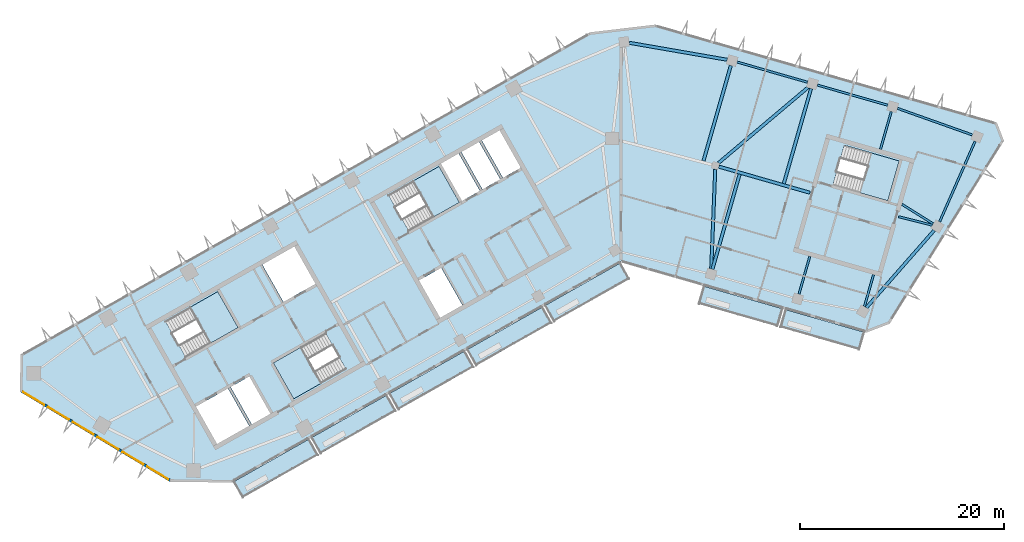
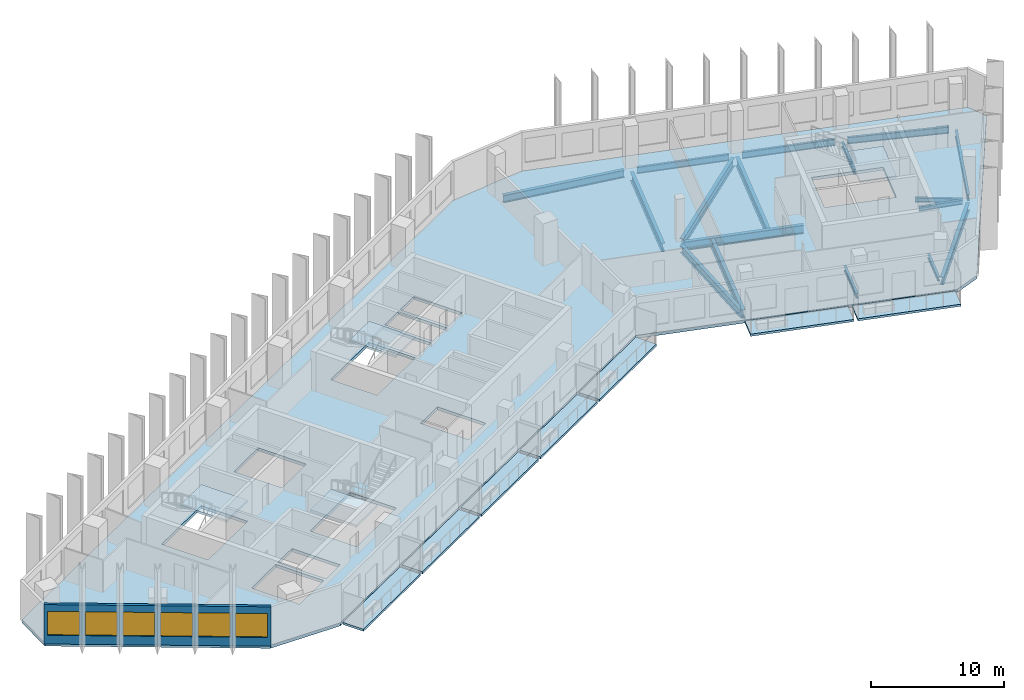
# One storey, part 2 of 12: 17 beams, 12 slabs, 6 windows, 1 wall, 6 openings, 4 elements without a shape of their own.
"""IFC4 building model written with IfcOpenShell, lengths in metres."""

from ifc_helpers import new_model, si_unit, direction, frame, frame_2d, origin, origin_2d, place, context, subcontext, project, spatial, polyline, rectangle, i_section, outline, extrude, material, layer, layer_set, material_profile, profile_set, type_object, element, fill, aggregate, save


model = new_model("IFC4")

# Units and contexts
model_context = context("Model", 3, precision=1e-05, world=origin(), true_north=direction((0.0, 1.0)))
body_context = subcontext(model_context, "Body", "Model", "MODEL_VIEW")
ifc_project = project(units=[si_unit("LENGTHUNIT", "METRE"), si_unit("AREAUNIT", "SQUARE_METRE"), si_unit("VOLUMEUNIT", "CUBIC_METRE"), si_unit("PLANEANGLEUNIT", "RADIAN"), si_unit("MASSUNIT", "GRAM", prefix="KILO")], contexts=[model_context])

# Site, building, storey
site_placement = place(None, origin())
site = spatial("IfcSite", under=ifc_project, at=site_placement, CompositionType="ELEMENT")
building_placement = place(site_placement, origin())
building = spatial("IfcBuilding", under=site, at=building_placement, Name="Binnacle Exchange Tower", CompositionType="ELEMENT")
storey_placement = place(building_placement, frame((0.0, 0.0, 246.5)))
storey = spatial("IfcBuildingStorey", under=building, at=storey_placement, Name="L54", CompositionType="ELEMENT", Elevation=246.5)

# Beams
ifc_material_1 = material(Name="Steel S355 (SHN355)", Category="steel")
ifc_material_profile_1 = material_profile(ifc_material_1, i_section(OverallWidth=0.199951171875, OverallDepth=0.60009765625, WebThickness=0.010986328125, FlangeThickness=0.01708984375, FilletRadius=0.02197265625, at=origin_2d()), Name="H 600x200x11x17")
ifc_profile_set_1 = profile_set([ifc_material_profile_1], Name="Steel S355 (SHN355)")
beam_type_1 = type_object("IfcBeamType", Name="Edge girder H 600x200x11x17 Steel S355 (SHN355)", PredefinedType="SPANDREL", material=ifc_profile_set_1)
beam_1_placement = place(storey_placement, frame((18.265625, 65.513916015625, -0.580078125), z_axis=(-0.961255050864, 0.275660528891, 0.0), x_axis=(-0.275660528891, -0.961255050864, 0.0)))
element("IfcBeam", 1, at=beam_1_placement, inside=storey, type_object=beam_type_1, Name="S:BM:edge:L54:029", PredefinedType="SPANDREL", context=body_context, shape_type="SweptSolid", body=[
    extrude(i_section(OverallWidth=0.199951171875, OverallDepth=0.60009765625, WebThickness=0.010986328125, FlangeThickness=0.01708984375, FilletRadius=0.02197265625, at=origin_2d()), origin(), (0.0, 0.0, 1.0), 7.1728515625),
])
beam_2_placement = place(storey_placement, frame((26.1220703125, 63.26123046875, -0.580078125), z_axis=(-0.96126665508, 0.275620060647, 0.0), x_axis=(-0.275620060647, -0.96126665508, 0.0)))
element("IfcBeam", 2, at=beam_2_placement, inside=storey, type_object=beam_type_1, Name="S:BM:edge:L54:031", PredefinedType="SPANDREL", context=body_context, shape_type="SweptSolid", body=[
    extrude(i_section(OverallWidth=0.199951171875, OverallDepth=0.60009765625, WebThickness=0.010986328125, FlangeThickness=0.01708984375, FilletRadius=0.02197265625, at=origin_2d()), origin(), (0.0, 0.0, 1.0), 7.173095703125),
])
ifc_material_profile_2 = material_profile(ifc_material_1, i_section(OverallWidth=0.200927734375, OverallDepth=0.60595703125, WebThickness=0.011962890625, FlangeThickness=0.02001953125, FilletRadius=0.02197265625, at=origin_2d()), Name="H 606x201x12x20")
ifc_profile_set_2 = profile_set([ifc_material_profile_2], Name="Steel S355 (SHN355)")
beam_type_2 = type_object("IfcBeamType", Name="Edge girder H 606x201x12x20 Steel S355 (SHN355)", PredefinedType="SPANDREL", material=ifc_profile_set_2)
beam_3_placement = place(storey_placement, frame((34.3984375, 60.3544921875, -0.5830078125), z_axis=(-0.942323270608, 0.334704128553, 0.0), x_axis=(-0.334704128553, -0.942323270608, 0.0)))
element("IfcBeam", 3, at=beam_3_placement, inside=storey, type_object=beam_type_2, Name="S:BM:edge:L54:033", PredefinedType="SPANDREL", context=body_context, shape_type="SweptSolid", body=[
    extrude(i_section(OverallWidth=0.200927734375, OverallDepth=0.60595703125, WebThickness=0.011962890625, FlangeThickness=0.02001953125, FilletRadius=0.02197265625, at=origin_2d()), origin(), (0.0, 0.0, 1.0), 7.77197265625),
])
ifc_material_profile_3 = material_profile(ifc_material_1, i_section(OverallWidth=0.201904296875, OverallDepth=0.612060546875, WebThickness=0.012939453125, FlangeThickness=0.02294921875, FilletRadius=0.02197265625, at=origin_2d()), Name="H 612x202x13x23")
ifc_profile_set_3 = profile_set([ifc_material_profile_3], Name="Steel S355 (SHN355)")
beam_type_3 = type_object("IfcBeamType", Name="Edge girder H 612x202x13x23 Steel S355 (SHN355)", PredefinedType="SPANDREL", material=ifc_profile_set_3)
beam_4_placement = place(storey_placement, frame((31.193359375, 51.848388671875, -0.5859375), z_axis=(0.403459457176, 0.914997522628, 0.0), x_axis=(-0.914997522628, 0.403459457176, 0.0)))
element("IfcBeam", 4, at=beam_4_placement, inside=storey, type_object=beam_type_3, Name="S:BM:edge:L54:032", PredefinedType="SPANDREL", context=body_context, shape_type="SweptSolid", body=[
    extrude(i_section(OverallWidth=0.201904296875, OverallDepth=0.612060546875, WebThickness=0.012939453125, FlangeThickness=0.02294921875, FilletRadius=0.02197265625, at=origin_2d()), origin(), (0.0, 0.0, 1.0), 8.61328125),
])
ifc_material_profile_4 = material_profile(ifc_material_1, i_section(OverallWidth=0.300048828125, OverallDepth=0.699951171875, WebThickness=0.012939453125, FlangeThickness=0.02392578125, FilletRadius=0.028076171875, at=origin_2d()), Name="H 700x300x13x24")
ifc_profile_set_4 = profile_set([ifc_material_profile_4], Name="Steel S355 (SHN355)")
beam_type_4 = type_object("IfcBeamType", Name="Edge girder H 700x300x13x24 Steel S355 (SHN355)", PredefinedType="SPANDREL", material=ifc_profile_set_4)
beam_5_placement = place(storey_placement, frame((10.39453125, 67.71484375, -0.6298828125), z_axis=(-0.985315512383, 0.170743494921, 0.0), x_axis=(-0.170743494921, -0.985315512383, 0.0)))
element("IfcBeam", 5, at=beam_5_placement, inside=storey, type_object=beam_type_4, Name="S:BM:edge:L54:027", PredefinedType="SPANDREL", context=body_context, shape_type="SweptSolid", body=[
    extrude(i_section(OverallWidth=0.300048828125, OverallDepth=0.699951171875, WebThickness=0.012939453125, FlangeThickness=0.02392578125, FilletRadius=0.028076171875, at=origin_2d()), origin(), (0.0, 0.0, 1.0), 9.72314453125),
])
beam_6_placement = place(storey_placement, frame((24.026123046875, 43.44580078125, -0.6298828125), z_axis=(0.659336218273, 0.751848223562, 0.0), x_axis=(-0.751848223562, 0.659336218273, 0.0)))
element("IfcBeam", 6, at=beam_6_placement, inside=storey, type_object=beam_type_4, Name="S:BM:edge:L54:030", PredefinedType="SPANDREL", context=body_context, shape_type="SweptSolid", body=[
    extrude(i_section(OverallWidth=0.300048828125, OverallDepth=0.699951171875, WebThickness=0.012939453125, FlangeThickness=0.02392578125, FilletRadius=0.028076171875, at=origin_2d()), origin(), (0.0, 0.0, 1.0), 10.0546875),
])
ifc_material_profile_5 = material_profile(ifc_material_1, i_section(OverallWidth=0.199951171875, OverallDepth=0.39990234375, WebThickness=0.008056640625, FlangeThickness=0.012939453125, FilletRadius=0.01611328125, at=origin_2d()), Name="H 400x200x8x13")
ifc_profile_set_5 = profile_set([ifc_material_profile_5], Name="Steel S355 (SHN355)")
beam_type_5 = type_object("IfcBeamType", Name="Floor beam H 400x200x8x13 Steel S355 (SHN355)", PredefinedType="BEAM", material=ifc_profile_set_5)
beam_7_placement = place(storey_placement, frame((23.832275390625, 43.55810546875, -0.47998046875), z_axis=(0.275607869103, 0.961270150628, 0.0), x_axis=(-0.961270150628, 0.275607869103, 0.0)))
element("IfcBeam", 7, at=beam_7_placement, inside=storey, type_object=beam_type_5, Name="S:BM:cross:L54:051", PredefinedType="BEAM", context=body_context, shape_type="SweptSolid", body=[
    extrude(i_section(OverallWidth=0.199951171875, OverallDepth=0.39990234375, WebThickness=0.008056640625, FlangeThickness=0.012939453125, FilletRadius=0.01611328125, at=origin_2d()), origin(), (0.0, 0.0, 1.0), 3.23583984375),
])
beam_8_placement = place(storey_placement, frame((30.5654296875, 51.6513671875, -0.47998046875), z_axis=(-0.848078408173, 0.529870751779, 0.0), x_axis=(-0.529870751779, -0.848078408173, 0.0)))
element("IfcBeam", 8, at=beam_8_placement, inside=storey, type_object=beam_type_5, Name="S:BM:cross:L54:053", PredefinedType="BEAM", context=body_context, shape_type="SweptSolid", body=[
    extrude(i_section(OverallWidth=0.199951171875, OverallDepth=0.39990234375, WebThickness=0.008056640625, FlangeThickness=0.012939453125, FilletRadius=0.01611328125, at=origin_2d()), origin(), (0.0, 0.0, 1.0), 3.59521484375),
])
ifc_material_profile_6 = material_profile(ifc_material_1, i_section(OverallWidth=0.199951171875, OverallDepth=0.449951171875, WebThickness=0.009033203125, FlangeThickness=0.013916015625, FilletRadius=0.01806640625, at=origin_2d()), Name="H 450x200x9x14")
ifc_profile_set_6 = profile_set([ifc_material_profile_6], Name="Steel S355 (SHN355)")
beam_type_6 = type_object("IfcBeamType", Name="Floor beam H 450x200x9x14 Steel S355 (SHN355)", PredefinedType="BEAM", material=ifc_profile_set_6)
for number, where, z_axis, x_axis, name in (
    (9, (17.426025390625, 44.771728515625, -0.5048828125), (0.27564586602, 0.961259255636, 0.0), (-0.961259255636, 0.27564586602, 0.0), "S:BM:cross:L54:049"),
    (10, (26.46484375, 62.642822265625, -0.5048828125), (-0.27564586602, -0.961259255636, 0.0), (0.961259255636, -0.27564586602, 0.0), "S:BM:cross:L54:052"),
):
    element("IfcBeam", number, at=place(storey_placement, frame(where, z_axis=z_axis, x_axis=x_axis)), inside=storey, type_object=beam_type_6, Name=name, PredefinedType="BEAM", context=body_context, shape_type="SweptSolid", body=[
        extrude(i_section(OverallWidth=0.199951171875, OverallDepth=0.449951171875, WebThickness=0.009033203125, FlangeThickness=0.013916015625, FilletRadius=0.01806640625, at=origin_2d()), origin(), (0.0, 0.0, 1.0), 3.835205078125),
    ])
ifc_material_profile_7 = material_profile(ifc_material_1, i_section(OverallWidth=0.300048828125, OverallDepth=0.800048828125, WebThickness=0.013916015625, FlangeThickness=0.02587890625, FilletRadius=0.028076171875, at=origin_2d()), Name="H 800x300x14x26")
ifc_profile_set_7 = profile_set([ifc_material_profile_7], Name="Steel S355 (SHN355)")
beam_type_7 = type_object("IfcBeamType", Name="Floor beam H 800x300x14x26 Steel S355 (SHN355)", PredefinedType="BEAM", material=ifc_profile_set_7)
beam_9_placement = place(storey_placement, frame((8.947265625, 47.202880859375, -0.679931640625), z_axis=(0.275643212873, 0.961260016435, 0.0), x_axis=(-0.961260016435, 0.275643212873, 0.0)))
element("IfcBeam", 11, at=beam_9_placement, inside=storey, type_object=beam_type_7, Name="S:BM:cross:L54:047", PredefinedType="BEAM", context=body_context, shape_type="SweptSolid", body=[
    extrude(i_section(OverallWidth=0.300048828125, OverallDepth=0.800048828125, WebThickness=0.013916015625, FlangeThickness=0.02587890625, FilletRadius=0.028076171875, at=origin_2d()), origin(), (0.0, 0.0, 1.0), 9.685302734375),
])
beam_10_placement = place(storey_placement, frame((10.752197265625, 67.1484375, -0.679931640625), z_axis=(-0.275623948616, -0.96126554029, 0.0), x_axis=(0.96126554029, -0.275623948616, 0.0)))
element("IfcBeam", 12, at=beam_10_placement, inside=storey, type_object=beam_type_7, Name="S:BM:cross:L54:048", PredefinedType="BEAM", context=body_context, shape_type="SweptSolid", body=[
    extrude(i_section(OverallWidth=0.300048828125, OverallDepth=0.800048828125, WebThickness=0.013916015625, FlangeThickness=0.02587890625, FilletRadius=0.028076171875, at=origin_2d()), origin(), (0.0, 0.0, 1.0), 9.71337890625),
])
beam_11_placement = place(storey_placement, frame((18.6083984375, 64.8955078125, -0.679931640625), z_axis=(-0.275626599208, -0.961264780281, 0.0), x_axis=(0.961264780281, -0.275626599208, 0.0)))
element("IfcBeam", 13, at=beam_11_placement, inside=storey, type_object=beam_type_7, Name="S:BM:cross:L54:050", PredefinedType="BEAM", context=body_context, shape_type="SweptSolid", body=[
    extrude(i_section(OverallWidth=0.300048828125, OverallDepth=0.800048828125, WebThickness=0.013916015625, FlangeThickness=0.02587890625, FilletRadius=0.028076171875, at=origin_2d()), origin(), (0.0, 0.0, 1.0), 9.68505859375),
])
ifc_material_profile_8 = material_profile(ifc_material_1, i_section(OverallWidth=0.199951171875, OverallDepth=0.39990234375, WebThickness=0.008056640625, FlangeThickness=0.012939453125, FilletRadius=0.01611328125, at=origin_2d()), Name="H 400x200x8x13")
ifc_profile_set_8 = profile_set([ifc_material_profile_8], Name="Steel S355 (SHN355)")
beam_type_8 = type_object("IfcBeamType", Name="Spine girder H 400x200x8x13 Steel S355 (SHN355)", PredefinedType="BEAM", material=ifc_profile_set_8)
beam_12_placement = place(storey_placement, frame((27.17138671875, 52.35400390625, -0.47998046875), z_axis=(0.969354959992, -0.245664326957, 0.0), x_axis=(0.245664326957, 0.969354959992, 0.0)))
element("IfcBeam", 14, at=beam_12_placement, inside=storey, type_object=beam_type_8, Name="S:BM:spine:L54:010", PredefinedType="BEAM", context=body_context, shape_type="SweptSolid", body=[
    extrude(i_section(OverallWidth=0.199951171875, OverallDepth=0.39990234375, WebThickness=0.008056640625, FlangeThickness=0.012939453125, FilletRadius=0.01611328125, at=origin_2d()), origin(), (0.0, 0.0, 1.0), 3.41357421875),
])
ifc_material_profile_9 = material_profile(ifc_material_1, i_section(OverallWidth=0.300048828125, OverallDepth=0.699951171875, WebThickness=0.012939453125, FlangeThickness=0.02392578125, FilletRadius=0.028076171875, at=origin_2d()), Name="H 700x300x13x24")
ifc_profile_set_9 = profile_set([ifc_material_profile_9], Name="Steel S355 (SHN355)")
beam_type_9 = type_object("IfcBeamType", Name="Spine girder H 700x300x13x24 Steel S355 (SHN355)", PredefinedType="BEAM", material=ifc_profile_set_9)
beam_13_placement = place(storey_placement, frame((9.226318359375, 56.990234375, -0.6298828125), z_axis=(-0.040566314933, -0.999176848257, 0.0), x_axis=(0.999176848257, -0.040566314933, 0.0)))
element("IfcBeam", 15, at=beam_13_placement, inside=storey, type_object=beam_type_9, Name="S:BM:spine:L54:007", PredefinedType="BEAM", context=body_context, shape_type="SweptSolid", body=[
    extrude(i_section(OverallWidth=0.300048828125, OverallDepth=0.699951171875, WebThickness=0.012939453125, FlangeThickness=0.02392578125, FilletRadius=0.028076171875, at=origin_2d()), origin(), (0.0, 0.0, 1.0), 9.76171875),
])
ifc_material_profile_10 = material_profile(ifc_material_1, i_section(OverallWidth=0.300048828125, OverallDepth=0.800048828125, WebThickness=0.013916015625, FlangeThickness=0.02587890625, FilletRadius=0.028076171875, at=origin_2d()), Name="H 800x300x14x26")
ifc_profile_set_10 = profile_set([ifc_material_profile_10], Name="Steel S355 (SHN355)")
beam_type_10 = type_object("IfcBeamType", Name="Spine girder H 800x300x14x26 Steel S355 (SHN355)", PredefinedType="BEAM", material=ifc_profile_set_10)
beam_14_placement = place(storey_placement, frame((9.577392578125, 57.253662109375, -0.679931640625), z_axis=(0.961262936931, -0.275633027924, 0.0), x_axis=(0.275633027924, 0.961262936931, 0.0)))
element("IfcBeam", 16, at=beam_14_placement, inside=storey, type_object=beam_type_10, Name="S:BM:spine:L54:009", PredefinedType="BEAM", context=body_context, shape_type="SweptSolid", body=[
    extrude(i_section(OverallWidth=0.300048828125, OverallDepth=0.800048828125, WebThickness=0.013916015625, FlangeThickness=0.02587890625, FilletRadius=0.028076171875, at=origin_2d()), origin(), (0.0, 0.0, 1.0), 9.26318359375),
])
ifc_material_profile_11 = material_profile(ifc_material_1, i_section(OverallWidth=0.302001953125, OverallDepth=0.80810546875, WebThickness=0.01611328125, FlangeThickness=0.030029296875, FilletRadius=0.028076171875, at=origin_2d()), Name="H 808x302x16x30")
ifc_profile_set_11 = profile_set([ifc_material_profile_11], Name="Steel S355 (SHN355)")
beam_type_11 = type_object("IfcBeamType", Name="Spine girder H 808x302x16x30 Steel S355 (SHN355)", PredefinedType="BEAM", material=ifc_profile_set_11)
beam_15_placement = place(storey_placement, frame((9.562744140625, 57.6220703125, -0.68408203125), z_axis=(0.764068797706, 0.645134770704, 0.0), x_axis=(-0.645134770704, 0.764068797706, 0.0)))
element("IfcBeam", 17, at=beam_15_placement, inside=storey, type_object=beam_type_11, Name="S:BM:spine:L54:008", PredefinedType="BEAM", context=body_context, shape_type="SweptSolid", body=[
    extrude(i_section(OverallWidth=0.302001953125, OverallDepth=0.80810546875, WebThickness=0.01611328125, FlangeThickness=0.030029296875, FilletRadius=0.028076171875, at=origin_2d()), origin(), (0.0, 0.0, 1.0), 11.417236328125),
])

# Slabs
ifc_material_2 = material(Name="Concrete C35/45", Category="concrete")
ifc_layer_1 = layer(ifc_material_2, 0.199951171875)
ifc_layer_set_1 = layer_set([ifc_layer_1], Name="BALCONY SLAB 200")
slab_type_1 = type_object("IfcSlabType", Name="BALCONY SLAB 200", PredefinedType="FLOOR", material=ifc_layer_set_1)
slab_1_placement = place(storey_placement, frame((0.0, 0.0, -0.199951171875)))
element("IfcSlab", 18, at=slab_1_placement, inside=storey, type_object=slab_type_1, Name="Balcony BA-G01-00 L54", PredefinedType="FLOOR", context=body_context, shape_type="SweptSolid", body=[
    extrude(outline(polyline([(-37.90576171875, 26.410400390625), (-30.54736328125, 30.573486328125), (-29.660888671875, 29.0068359375), (-37.019287109375, 24.84375), (-37.90576171875, 26.410400390625)])), origin(), (0.0, 0.0, 1.0), 0.199951171875),
])
slab_2_placement = place(storey_placement, frame((0.0, 0.0, -0.199951171875)))
element("IfcSlab", 19, at=slab_2_placement, inside=storey, type_object=slab_type_1, Name="Balcony BA-G01-01 L54", PredefinedType="FLOOR", context=body_context, shape_type="SweptSolid", body=[
    extrude(outline(polyline([(-30.2861328125, 30.72119140625), (-22.927734375, 34.884521484375), (-22.041259765625, 33.31787109375), (-29.39990234375, 29.15478515625), (-30.2861328125, 30.72119140625)])), origin(), (0.0, 0.0, 1.0), 0.199951171875),
])
slab_3_placement = place(storey_placement, frame((0.0, 0.0, -0.199951171875)))
element("IfcSlab", 20, at=slab_3_placement, inside=storey, type_object=slab_type_1, Name="Balcony BA-G01-02 L54", PredefinedType="FLOOR", context=body_context, shape_type="SweptSolid", body=[
    extrude(outline(polyline([(-22.66650390625, 35.0322265625), (-15.30810546875, 39.195556640625), (-14.421875, 37.62890625), (-21.7802734375, 33.465576171875), (-22.66650390625, 35.0322265625)])), origin(), (0.0, 0.0, 1.0), 0.199951171875),
])
slab_4_placement = place(storey_placement, frame((0.0, 0.0, -0.199951171875)))
element("IfcSlab", 21, at=slab_4_placement, inside=storey, type_object=slab_type_1, Name="Balcony BA-G01-03 L54", PredefinedType="FLOOR", context=body_context, shape_type="SweptSolid", body=[
    extrude(outline(polyline([(-15.047119140625, 39.34326171875), (-7.6884765625, 43.50634765625), (-6.802001953125, 41.939697265625), (-14.16064453125, 37.776611328125), (-15.047119140625, 39.34326171875)])), origin(), (0.0, 0.0, 1.0), 0.199951171875),
])
slab_5_placement = place(storey_placement, frame((0.0, 0.0, -0.199951171875)))
element("IfcSlab", 22, at=slab_5_placement, inside=storey, type_object=slab_type_1, Name="Balcony BA-G01-04 L54", PredefinedType="FLOOR", context=body_context, shape_type="SweptSolid", body=[
    extrude(outline(polyline([(-7.427490234375, 43.654296875), (-0.069091796875, 47.8173828125), (0.8173828125, 46.250732421875), (-6.541015625, 42.08740234375), (-7.427490234375, 43.654296875)])), origin(), (0.0, 0.0, 1.0), 0.199951171875),
])
slab_6_placement = place(storey_placement, frame((0.0, 0.0, -0.199951171875)))
element("IfcSlab", 23, at=slab_6_placement, inside=storey, type_object=slab_type_1, Name="Balcony BA-G02-01 L54", PredefinedType="FLOOR", context=body_context, shape_type="SweptSolid", body=[
    extrude(outline(polyline([(8.10791015625, 45.545166015625), (15.8173828125, 43.33447265625), (15.3212890625, 41.60400390625), (7.61181640625, 43.814697265625), (8.10791015625, 45.545166015625)])), origin(), (0.0, 0.0, 1.0), 0.199951171875),
])
slab_7_placement = place(storey_placement, frame((0.0, 0.0, -0.199951171875)))
element("IfcSlab", 24, at=slab_7_placement, inside=storey, type_object=slab_type_1, Name="Balcony BA-G02-02 L54", PredefinedType="FLOOR", context=body_context, shape_type="SweptSolid", body=[
    extrude(outline(polyline([(16.10595703125, 43.251708984375), (23.815673828125, 41.041015625), (23.319580078125, 39.310791015625), (15.60986328125, 41.521484375), (16.10595703125, 43.251708984375)])), origin(), (0.0, 0.0, 1.0), 0.199951171875),
])
ifc_layer_2 = layer(ifc_material_2, 0.280029296875)
ifc_layer_set_2 = layer_set([ifc_layer_2], Name="Floor slab 280 Concrete C35/45")
slab_type_2 = type_object("IfcSlabType", Name="Floor slab 280 Concrete C35/45", PredefinedType="FLOOR", material=ifc_layer_set_2)
slab_8_placement = place(storey_placement, frame((0.0, 0.0, -0.280029296875)))
element("IfcSlab", 25, at=slab_8_placement, inside=storey, type_object=slab_type_2, Name="S:SL:L54:01", PredefinedType="FLOOR", context=body_context, shape_type="SweptSolid", body=[
    extrude(outline(polyline([(-58.716064453125, 35.280029296875), (-58.669921875, 38.80615234375), (-3.046142578125, 70.276611328125), (3.364501953125, 71.035400390625), (36.71240234375, 61.472900390625), (37.359375, 59.787353515625), (26.23095703125, 41.978515625), (23.994140625, 41.119873046875), (0.0, 48.0), (-38.097900390625, 26.4453125), (-44.14404296875, 26.5244140625), (-58.716064453125, 35.280029296875)]), holes=[polyline([(-38.4794921875, 35.529296875), (-41.61279296875, 33.756591796875), (-39.544677734375, 30.10107421875), (-36.411376953125, 31.873779296875), (-38.4794921875, 35.529296875)]), polyline([(-36.390625, 36.711181640625), (-38.21826171875, 35.677001953125), (-36.150146484375, 32.021484375), (-34.322509765625, 33.0556640625), (-36.390625, 36.711181640625)]), polyline([(-32.04638671875, 34.515625), (-26.9287109375, 37.4111328125), (-28.923095703125, 40.93603515625), (-34.040771484375, 38.04052734375), (-32.04638671875, 34.515625)]), polyline([(-37.486572265625, 41.4912109375), (-39.480712890625, 45.01611328125), (-44.598388671875, 42.12060546875), (-42.604248046875, 38.595703125), (-37.486572265625, 41.4912109375)]), polyline([(-29.914306640625, 45.775390625), (-31.982666015625, 49.430908203125), (-35.115966796875, 47.657958984375), (-33.047607421875, 44.00244140625), (-29.914306640625, 45.775390625)]), polyline([(-17.81689453125, 57.27294921875), (-22.760498046875, 54.47607421875), (-20.76611328125, 50.950927734375), (-15.822509765625, 53.748046875), (-17.81689453125, 57.27294921875)]), polyline([(-15.53076171875, 43.6875), (-17.598876953125, 47.343017578125), (-19.77490234375, 46.11181640625), (-17.70654296875, 42.456298828125), (-15.53076171875, 43.6875)]), polyline([(-13.82080078125, 54.880615234375), (-15.888916015625, 58.5361328125), (-17.629638671875, 57.55126953125), (-15.5615234375, 53.895751953125), (-13.82080078125, 54.880615234375)]), polyline([(27.227783203125, 57.810302734375), (21.864013671875, 59.348388671875), (20.74755859375, 55.455078125), (26.111328125, 53.9169921875), (27.227783203125, 57.810302734375)]), polyline([(-11.819091796875, 56.01318359375), (-13.88720703125, 59.668701171875), (-15.6279296875, 58.683837890625), (-13.559814453125, 55.0283203125), (-11.819091796875, 56.01318359375)]), polyline([(-9.817138671875, 57.145751953125), (-11.885498046875, 60.80126953125), (-13.626220703125, 59.81640625), (-11.557861328125, 56.160888671875), (-9.817138671875, 57.145751953125)])]), origin(), (0.0, 0.0, 1.0), 0.280029296875),
])

# Stair, slab
stair_type = type_object("IfcStairType", Name="STAIR 22 RISERS 177", PredefinedType="HALF_TURN_STAIR", material=ifc_material_2)
stair_1_placement = place(storey_placement, origin())
stair_1 = element("IfcStair", 26, at=stair_1_placement, inside=storey, type_object=stair_type, Name="L54 Escape stair A1", PredefinedType="HALF_TURN_STAIR")
ifc_layer_3 = layer(ifc_material_2, 0.199951171875)
ifc_layer_set_3 = layer_set([ifc_layer_3], Name="STAIR LANDING 200")
slab_type_3 = type_object("IfcSlabType", Name="STAIR LANDING 200", PredefinedType="LANDING", material=ifc_layer_set_3)
slab_9_placement = place(storey_placement, frame((0.0, 0.0, 1.75)))
slab_9 = element("IfcSlab", 27, at=slab_9_placement, type_object=slab_type_3, Name="STA1 landing 1", PredefinedType="LANDING", context=body_context, shape_type="SweptSolid", body=[
    extrude(outline(polyline([(-40.2021484375, 39.954833984375), (-37.486572265625, 41.4912109375), (-39.48095703125, 45.01611328125), (-42.1962890625, 43.479736328125), (-40.2021484375, 39.954833984375)])), origin(), (0.0, 0.0, 1.0), 0.199951171875),
])
aggregate(stair_1, [slab_9])

stair_2_placement = place(storey_placement, origin())
stair_2 = element("IfcStair", 28, at=stair_2_placement, inside=storey, type_object=stair_type, Name="L54 Escape stair A2", PredefinedType="HALF_TURN_STAIR")
slab_10_placement = place(storey_placement, frame((0.0, 0.0, 1.75)))
slab_10 = element("IfcSlab", 29, at=slab_10_placement, type_object=slab_type_3, Name="STA2 landing 1", PredefinedType="LANDING", context=body_context, shape_type="SweptSolid", body=[
    extrude(outline(polyline([(-31.3251953125, 39.576904296875), (-34.040771484375, 38.04052734375), (-32.04638671875, 34.515625), (-29.330810546875, 36.052001953125), (-31.3251953125, 39.576904296875)])), origin(), (0.0, 0.0, 1.0), 0.199951171875),
])
aggregate(stair_2, [slab_10])

stair_3_placement = place(storey_placement, origin())
stair_3 = element("IfcStair", 30, at=stair_3_placement, inside=storey, type_object=stair_type, Name="L54 Escape stair C1", PredefinedType="HALF_TURN_STAIR")
slab_11_placement = place(storey_placement, frame((0.0, 0.0, 1.75)))
slab_11 = element("IfcSlab", 31, at=slab_11_placement, type_object=slab_type_3, Name="STC1 landing 1", PredefinedType="LANDING", context=body_context, shape_type="SweptSolid", body=[
    extrude(outline(polyline([(-18.364013671875, 52.31005859375), (-15.822509765625, 53.748046875), (-17.81689453125, 57.27294921875), (-20.3583984375, 55.8349609375), (-18.364013671875, 52.31005859375)])), origin(), (0.0, 0.0, 1.0), 0.199951171875),
])
aggregate(stair_3, [slab_11])

stair_4_placement = place(storey_placement, origin())
stair_4 = element("IfcStair", 32, at=stair_4_placement, inside=storey, type_object=stair_type, Name="L54 Escape stair D1", PredefinedType="HALF_TURN_STAIR")
slab_12_placement = place(storey_placement, frame((0.0, 0.0, 1.75)))
slab_12 = element("IfcSlab", 33, at=slab_12_placement, type_object=slab_type_3, Name="STD1 landing 1", PredefinedType="LANDING", context=body_context, shape_type="SweptSolid", body=[
    extrude(outline(polyline([(23.400634765625, 54.6943359375), (26.111328125, 53.917236328125), (27.227783203125, 57.810302734375), (24.516845703125, 58.587646484375), (23.400634765625, 54.6943359375)])), origin(), (0.0, 0.0, 1.0), 0.199951171875),
])
aggregate(stair_4, [slab_12])

# Wall, openings, windows
ifc_material_3 = material(Name="Bronze aluminium cladding", Category="aluminium")
ifc_layer_4 = layer(ifc_material_3, 0.25)
ifc_layer_set_4 = layer_set([ifc_layer_4], Name="External wall - window wall 250")
wall_type = type_object("IfcWallType", Name="External wall - window wall 250", PredefinedType="STANDARD", material=ifc_layer_set_4)
wall_placement = place(storey_placement, frame((-44.115234375, 26.507080078125, 0.0), z_axis=(0.0, 0.0, 1.0), x_axis=(-0.857166583633, 0.515039268311, 0.0)))
wall = element("IfcWall", 34, at=wall_placement, inside=storey, type_object=wall_type, Name="External wall EW-G10 L54", PredefinedType="STANDARD", context=body_context, shape_type="SweptSolid", body=[
    extrude(rectangle(XDim=17.105712890625, YDim=0.25, at=frame_2d((8.552734375, 0.0))), origin(), (0.0, 0.0, 1.0), 3.6201171875),
])
opening_1_placement = place(wall_placement, frame((14.4169921875, 0.0, 0.800048828125)))
opening_1 = element("IfcOpeningElement", 35, at=opening_1_placement, cuts=wall, Name="Opening WR1", PredefinedType="OPENING", context=body_context, shape_type="SweptSolid", body=[
    extrude(rectangle(XDim=2.39990234375, YDim=2.199951171875, at=frame_2d((1.199951171875, 1.10009765625))), frame((0.0, 0.135009765625, 0.0), z_axis=(0.0, -1.0, 0.0), x_axis=(1.0, 0.0, 0.0)), (0.0, 0.0, 1.0), 0.27001953125),
])
opening_2_placement = place(wall_placement, frame((11.583740234375, 0.0, 0.800048828125)))
opening_2 = element("IfcOpeningElement", 36, at=opening_2_placement, cuts=wall, Name="Opening WR1", PredefinedType="OPENING", context=body_context, shape_type="SweptSolid", body=[
    extrude(rectangle(XDim=2.39990234375, YDim=2.199951171875, at=frame_2d((1.199951171875, 1.10009765625))), frame((0.0, 0.135009765625, 0.0), z_axis=(0.0, -1.0, 0.0), x_axis=(1.0, 0.0, 0.0)), (0.0, 0.0, 1.0), 0.27001953125),
])
opening_3_placement = place(wall_placement, frame((8.75048828125, 0.0, 0.800048828125)))
opening_3 = element("IfcOpeningElement", 37, at=opening_3_placement, cuts=wall, Name="Opening WR1", PredefinedType="OPENING", context=body_context, shape_type="SweptSolid", body=[
    extrude(rectangle(XDim=2.39990234375, YDim=2.199951171875, at=frame_2d((1.199951171875, 1.10009765625))), frame((0.0, 0.135009765625, 0.0), z_axis=(0.0, -1.0, 0.0), x_axis=(1.0, 0.0, 0.0)), (0.0, 0.0, 1.0), 0.27001953125),
])
opening_4_placement = place(wall_placement, frame((5.9169921875, 0.0, 0.800048828125)))
opening_4 = element("IfcOpeningElement", 38, at=opening_4_placement, cuts=wall, Name="Opening WR1", PredefinedType="OPENING", context=body_context, shape_type="SweptSolid", body=[
    extrude(rectangle(XDim=2.39990234375, YDim=2.199951171875, at=frame_2d((1.199951171875, 1.10009765625))), frame((0.0, 0.135009765625, 0.0), z_axis=(0.0, -1.0, 0.0), x_axis=(1.0, 0.0, 0.0)), (0.0, 0.0, 1.0), 0.27001953125),
])
opening_5_placement = place(wall_placement, frame((3.083740234375, 0.0, 0.800048828125)))
opening_5 = element("IfcOpeningElement", 39, at=opening_5_placement, cuts=wall, Name="Opening WR1", PredefinedType="OPENING", context=body_context, shape_type="SweptSolid", body=[
    extrude(rectangle(XDim=2.39990234375, YDim=2.199951171875, at=frame_2d((1.199951171875, 1.10009765625))), frame((0.0, 0.135009765625, 0.0), z_axis=(0.0, -1.0, 0.0), x_axis=(1.0, 0.0, 0.0)), (0.0, 0.0, 1.0), 0.27001953125),
])
opening_6_placement = place(wall_placement, frame((0.25048828125, 0.0, 0.800048828125)))
opening_6 = element("IfcOpeningElement", 40, at=opening_6_placement, cuts=wall, Name="Opening WR1", PredefinedType="OPENING", context=body_context, shape_type="SweptSolid", body=[
    extrude(rectangle(XDim=2.39990234375, YDim=2.199951171875, at=frame_2d((1.199951171875, 1.10009765625))), frame((0.0, 0.135009765625, 0.0), z_axis=(0.0, -1.0, 0.0), x_axis=(1.0, 0.0, 0.0)), (0.0, 0.0, 1.0), 0.27001953125),
])
ifc_material_4 = material(Name="Bronze anodised aluminium frame", Category="aluminium")
window_type = type_object("IfcWindowType", Name="WR1 WINDOW 2400x2200", PartitioningType="SINGLE_PANEL", PredefinedType="WINDOW", material=ifc_material_4)
window_1_placement = place(opening_1_placement, origin())
window_1 = element("IfcWindow", 41, at=window_1_placement, inside=storey, type_object=window_type, Name="Window WR1 L54", OverallHeight=2.199951171875, OverallWidth=2.39990234375, PartitioningType="SINGLE_PANEL", PredefinedType="WINDOW", context=body_context, shape_type="SweptSolid", body=[
    extrude(rectangle(XDim=2.39990234375, YDim=2.199951171875, at=frame_2d((1.199951171875, 1.10009765625))), frame((0.0, 0.030029296875, 0.0), z_axis=(0.0, -1.0, 0.0), x_axis=(1.0, 0.0, 0.0)), (0.0, 0.0, 1.0), 0.06005859375),
])
fill(opening_1, window_1)
window_2_placement = place(opening_2_placement, origin())
window_2 = element("IfcWindow", 42, at=window_2_placement, inside=storey, type_object=window_type, Name="Window WR1 L54", OverallHeight=2.199951171875, OverallWidth=2.39990234375, PartitioningType="SINGLE_PANEL", PredefinedType="WINDOW", context=body_context, shape_type="SweptSolid", body=[
    extrude(rectangle(XDim=2.39990234375, YDim=2.199951171875, at=frame_2d((1.199951171875, 1.10009765625))), frame((0.0, 0.030029296875, 0.0), z_axis=(0.0, -1.0, 0.0), x_axis=(1.0, 0.0, 0.0)), (0.0, 0.0, 1.0), 0.06005859375),
])
fill(opening_2, window_2)
window_3_placement = place(opening_3_placement, origin())
window_3 = element("IfcWindow", 43, at=window_3_placement, inside=storey, type_object=window_type, Name="Window WR1 L54", OverallHeight=2.199951171875, OverallWidth=2.39990234375, PartitioningType="SINGLE_PANEL", PredefinedType="WINDOW", context=body_context, shape_type="SweptSolid", body=[
    extrude(rectangle(XDim=2.39990234375, YDim=2.199951171875, at=frame_2d((1.199951171875, 1.10009765625))), frame((0.0, 0.030029296875, 0.0), z_axis=(0.0, -1.0, 0.0), x_axis=(1.0, 0.0, 0.0)), (0.0, 0.0, 1.0), 0.06005859375),
])
fill(opening_3, window_3)
window_4_placement = place(opening_4_placement, origin())
window_4 = element("IfcWindow", 44, at=window_4_placement, inside=storey, type_object=window_type, Name="Window WR1 L54", OverallHeight=2.199951171875, OverallWidth=2.39990234375, PartitioningType="SINGLE_PANEL", PredefinedType="WINDOW", context=body_context, shape_type="SweptSolid", body=[
    extrude(rectangle(XDim=2.39990234375, YDim=2.199951171875, at=frame_2d((1.199951171875, 1.10009765625))), frame((0.0, 0.030029296875, 0.0), z_axis=(0.0, -1.0, 0.0), x_axis=(1.0, 0.0, 0.0)), (0.0, 0.0, 1.0), 0.06005859375),
])
fill(opening_4, window_4)
window_5_placement = place(opening_5_placement, origin())
window_5 = element("IfcWindow", 45, at=window_5_placement, inside=storey, type_object=window_type, Name="Window WR1 L54", OverallHeight=2.199951171875, OverallWidth=2.39990234375, PartitioningType="SINGLE_PANEL", PredefinedType="WINDOW", context=body_context, shape_type="SweptSolid", body=[
    extrude(rectangle(XDim=2.39990234375, YDim=2.199951171875, at=frame_2d((1.199951171875, 1.10009765625))), frame((0.0, 0.030029296875, 0.0), z_axis=(0.0, -1.0, 0.0), x_axis=(1.0, 0.0, 0.0)), (0.0, 0.0, 1.0), 0.06005859375),
])
fill(opening_5, window_5)
window_6_placement = place(opening_6_placement, origin())
window_6 = element("IfcWindow", 46, at=window_6_placement, inside=storey, type_object=window_type, Name="Window WR1 L54", OverallHeight=2.199951171875, OverallWidth=2.39990234375, PartitioningType="SINGLE_PANEL", PredefinedType="WINDOW", context=body_context, shape_type="SweptSolid", body=[
    extrude(rectangle(XDim=2.39990234375, YDim=2.199951171875, at=frame_2d((1.199951171875, 1.10009765625))), frame((0.0, 0.030029296875, 0.0), z_axis=(0.0, -1.0, 0.0), x_axis=(1.0, 0.0, 0.0)), (0.0, 0.0, 1.0), 0.06005859375),
])
fill(opening_6, window_6)

save(model, "model.ifc")
